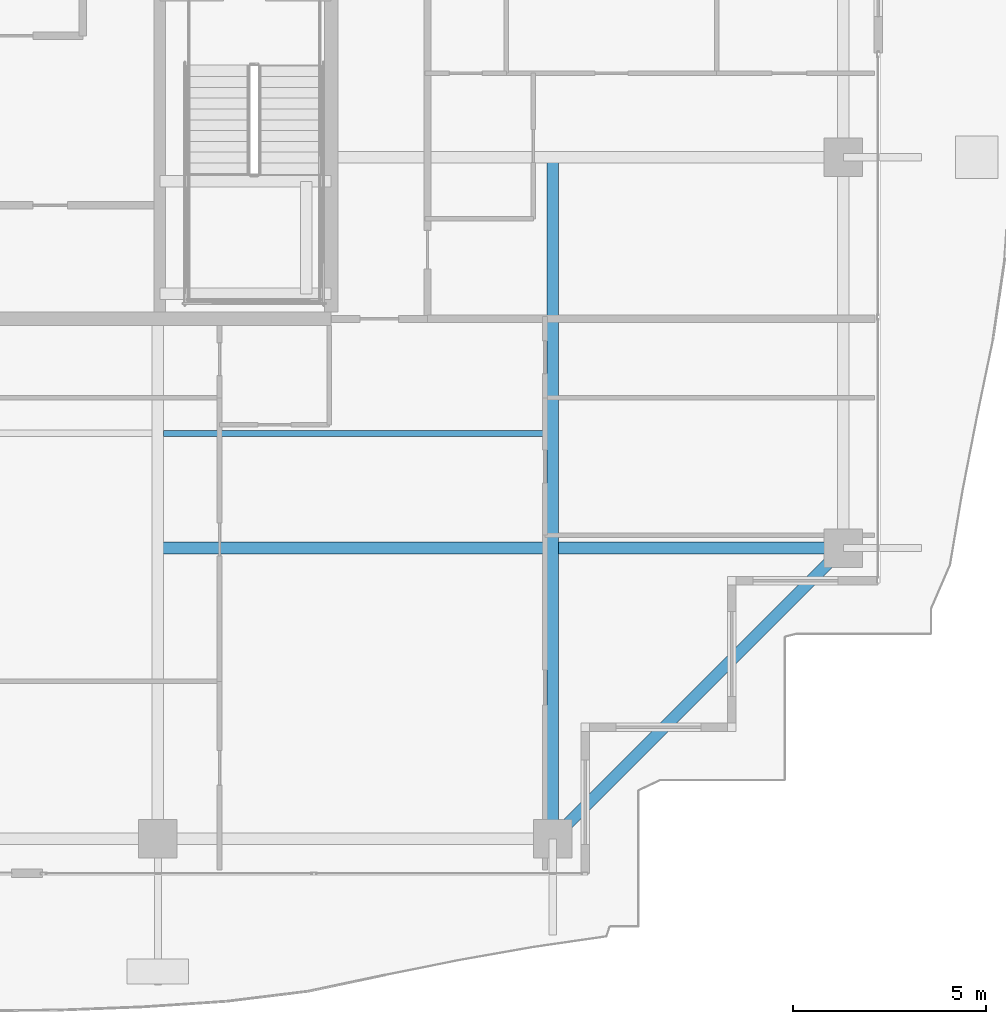
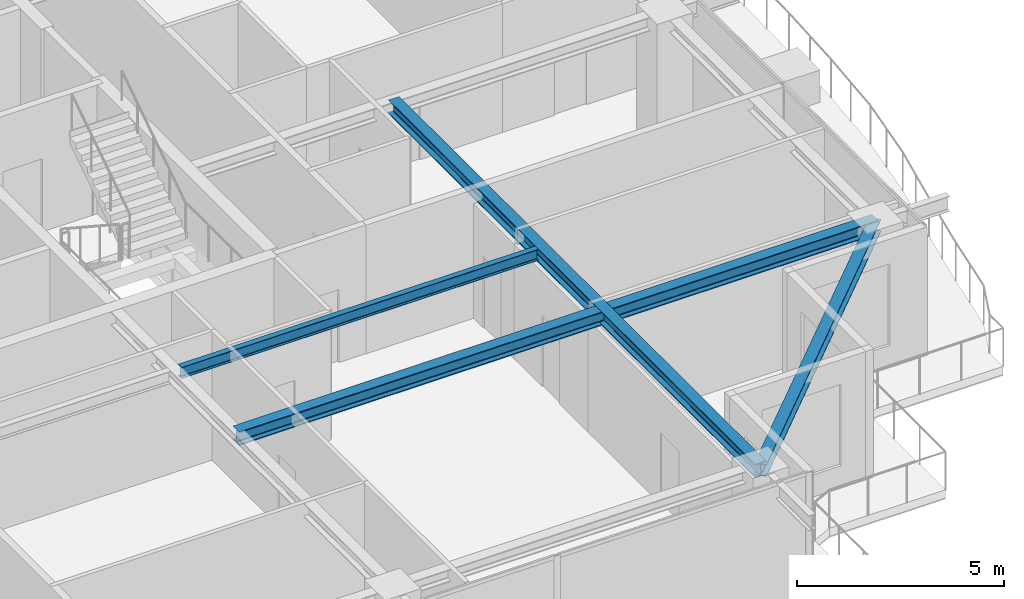
# One storey, part 12 of 41: 4 beams.
"""IFC4 building model written with IfcOpenShell, lengths in metres."""

from ifc_helpers import new_model, si_unit, direction, frame, origin, origin_2d, place, context, subcontext, project, spatial, i_section, extrude, source, transform, mapped, material, material_profile, profile_set, type_object, element, save


model = new_model("IFC4")

# Units and contexts
model_context = context("Model", 3, precision=1e-05, world=origin(), true_north=direction((0.0, 1.0)))
body_context = subcontext(model_context, "Body", "Model", "MODEL_VIEW")
ifc_project = project(units=[si_unit("LENGTHUNIT", "METRE"), si_unit("AREAUNIT", "SQUARE_METRE"), si_unit("VOLUMEUNIT", "CUBIC_METRE"), si_unit("PLANEANGLEUNIT", "RADIAN"), si_unit("MASSUNIT", "GRAM", prefix="KILO")], contexts=[model_context])

# Site, building, storey
site_placement = place(None, origin())
site = spatial("IfcSite", under=ifc_project, at=site_placement, CompositionType="ELEMENT")
building_placement = place(site_placement, origin())
building = spatial("IfcBuilding", under=site, at=building_placement, Name="Serunith Strait Residences", CompositionType="ELEMENT")
storey_placement = place(building_placement, frame((0.0, 0.0, 301.550048828125)))
storey = spatial("IfcBuildingStorey", under=building, at=storey_placement, Name="L75", CompositionType="ELEMENT", Elevation=301.550048828125)

# Beams
ifc_material = material(Name="Steel S355J2", Category="steel")
ifc_material_profile_1 = material_profile(ifc_material, i_section(OverallWidth=0.159912109375, OverallDepth=0.330078125, WebThickness=0.007568359375, FlangeThickness=0.011474609375, FilletRadius=0.01806640625, at=origin_2d()), Name="IPE 330")
ifc_profile_set_1 = profile_set([ifc_material_profile_1], Name="Steel S355J2")
beam_type_1 = type_object("IfcBeamType", Name="BM-IPE330", PredefinedType="JOIST", material=ifc_profile_set_1)
shared_shape_1 = source(origin(), body_context, "Body", "SweptSolid", [
    extrude(i_section(OverallWidth=0.159912109375, OverallDepth=0.330078125, WebThickness=0.007568359375, FlangeThickness=0.011474609375, FilletRadius=0.01806640625, at=origin_2d()), origin(), (0.0, 0.0, 1.0), 9.949951171875),
])
beam_1_placement = place(storey_placement, frame((37.050048828125, 13.824951171875, 3.6220703125), z_axis=(1.0, 0.0, 0.0), x_axis=(0.0, 1.0, 0.0)))
element("IfcBeam", 1, at=beam_1_placement, inside=storey, type_object=beam_type_1, Name="L75 Composite Floor Joist 03", PredefinedType="JOIST", context=body_context, shape_type="MappedRepresentation", body=[
    mapped(shared_shape_1, transform((0.0, 0.0, 0.0), scale=1.0)),
])
ifc_material_profile_2 = material_profile(ifc_material, i_section(OverallWidth=0.300048828125, OverallDepth=0.39990234375, WebThickness=0.013427734375, FlangeThickness=0.02392578125, FilletRadius=0.027099609375, at=origin_2d()), Name="HEB 400")
ifc_profile_set_2 = profile_set([ifc_material_profile_2], Name="Steel S355J2")
beam_type_2 = type_object("IfcBeamType", Name="BM-HEB400", PredefinedType="BEAM", material=ifc_profile_set_2)
shared_shape_2 = source(origin(), body_context, "Body", "SweptSolid", [
    extrude(i_section(OverallWidth=0.300048828125, OverallDepth=0.39990234375, WebThickness=0.013427734375, FlangeThickness=0.02392578125, FilletRadius=0.027099609375, at=origin_2d()), origin(), (0.0, 0.0, 1.0), 17.699951171875),
])
beam_2_placement = place(storey_placement, frame((47.14990234375, 21.0, 3.5869140625), z_axis=(0.0, -1.0, 0.0), x_axis=(1.0, 0.0, 0.0)))
element("IfcBeam", 2, at=beam_2_placement, inside=storey, type_object=beam_type_2, Name="L75 Orthogonal Corner Girder TC-S4", PredefinedType="BEAM", context=body_context, shape_type="MappedRepresentation", body=[
    mapped(shared_shape_2, transform((0.0, 0.0, 0.0), scale=1.0)),
])
shared_shape_3 = source(origin(), body_context, "Body", "SweptSolid", [
    extrude(i_section(OverallWidth=0.300048828125, OverallDepth=0.39990234375, WebThickness=0.013427734375, FlangeThickness=0.02392578125, FilletRadius=0.027099609375, at=origin_2d()), origin(), (0.0, 0.0, 1.0), 17.800048828125),
])
beam_3_placement = place(storey_placement, frame((36.89990234375, 10.85009765625, 3.5869140625), z_axis=(1.0, 0.0, 0.0), x_axis=(0.0, 1.0, 0.0)))
element("IfcBeam", 3, at=beam_3_placement, inside=storey, type_object=beam_type_2, Name="L75 Orthogonal Corner Girder TC-E1", PredefinedType="BEAM", context=body_context, shape_type="MappedRepresentation", body=[
    mapped(shared_shape_3, transform((0.0, 0.0, 0.0), scale=1.0)),
])
ifc_material_profile_3 = material_profile(ifc_material, i_section(OverallWidth=0.300048828125, OverallDepth=0.360107421875, WebThickness=0.012451171875, FlangeThickness=0.0224609375, FilletRadius=0.027099609375, at=origin_2d()), Name="HEB 360")
ifc_profile_set_3 = profile_set([ifc_material_profile_3], Name="Steel S355J2")
beam_type_3 = type_object("IfcBeamType", Name="BM-HEB360", PredefinedType="BEAM", material=ifc_profile_set_3)
shared_shape_4 = source(origin(), body_context, "Body", "SweptSolid", [
    extrude(i_section(OverallWidth=0.300048828125, OverallDepth=0.360107421875, WebThickness=0.012451171875, FlangeThickness=0.0224609375, FilletRadius=0.027099609375, at=origin_2d()), origin(), (0.0, 0.0, 1.0), 10.677490234375),
])
beam_4_placement = place(storey_placement, frame((47.14990234375, 3.300048828125, 3.576904296875), z_axis=(0.707106781187, 0.707106781187, 0.0), x_axis=(-0.707106781187, 0.707106781187, 0.0)))
element("IfcBeam", 4, at=beam_4_placement, inside=storey, type_object=beam_type_3, Name="L75 Perimeter Ring Beam 04", PredefinedType="BEAM", context=body_context, shape_type="MappedRepresentation", body=[
    mapped(shared_shape_4, transform((0.0, 0.0, 0.0), scale=1.0)),
])

save(model, "model.ifc")
